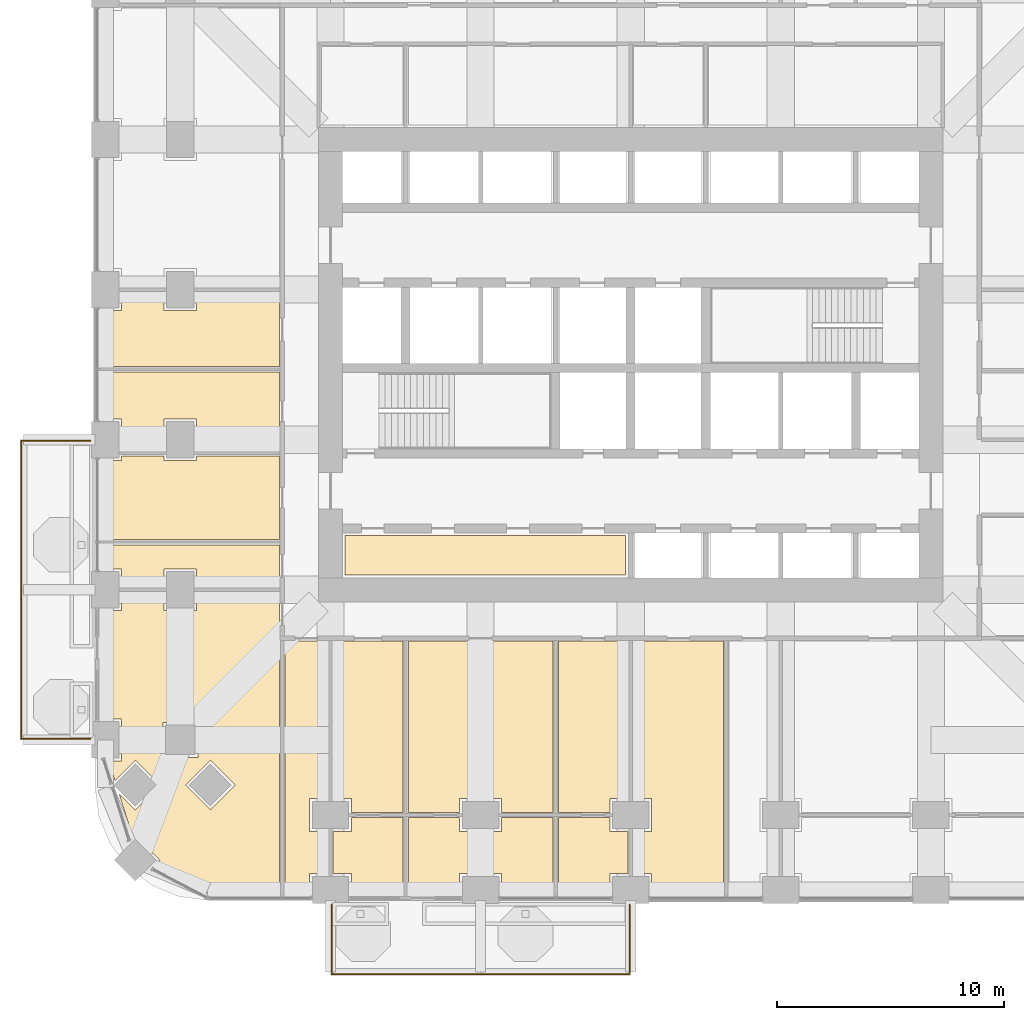
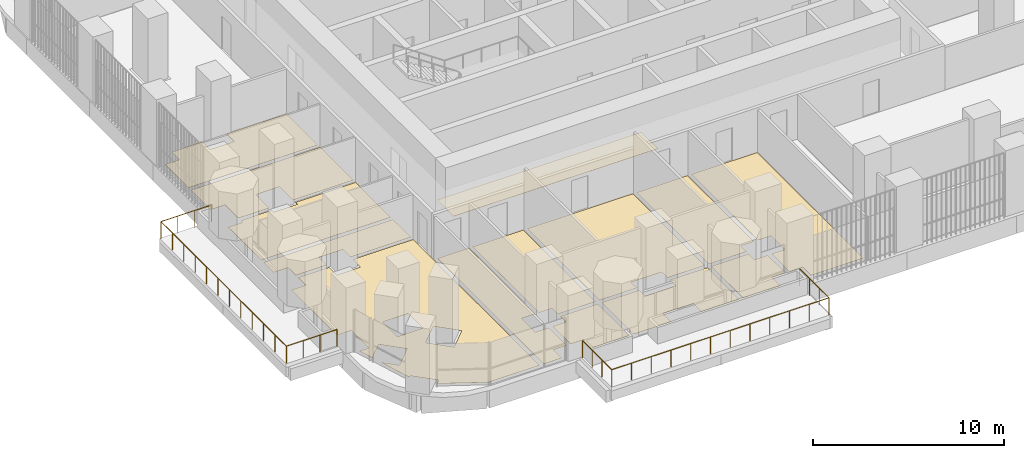
# One storey, part 17 of 21: 14 coverings, 2 railings.
"""IFC4 building model written with IfcOpenShell, lengths in metres."""

from ifc_helpers import new_model, si_unit, direction, frame, origin, place, context, subcontext, project, spatial, polyline, outline, extrude, material, layer, layer_set, type_object, element, save


model = new_model("IFC4")

# Units and contexts
model_context = context("Model", 3, precision=1e-05, world=origin(), true_north=direction((0.0, 1.0)))
body_context = subcontext(model_context, "Body", "Model", "MODEL_VIEW")
ifc_project = project(units=[si_unit("LENGTHUNIT", "METRE"), si_unit("AREAUNIT", "SQUARE_METRE"), si_unit("VOLUMEUNIT", "CUBIC_METRE"), si_unit("PLANEANGLEUNIT", "RADIAN"), si_unit("MASSUNIT", "GRAM", prefix="KILO")], contexts=[model_context])

# Site, building, storey
site_placement = place(None, origin())
site = spatial("IfcSite", under=ifc_project, at=site_placement, CompositionType="ELEMENT")
building_placement = place(site_placement, origin())
building = spatial("IfcBuilding", under=site, at=building_placement, Name="Cobogo Forest Laboratory Tower", CompositionType="ELEMENT")
storey_placement = place(building_placement, frame((0.0, 0.0, 99.0)))
storey = spatial("IfcBuildingStorey", under=building, at=storey_placement, Name="L22", CompositionType="ELEMENT", Elevation=99.0)

# Railings
ifc_material_1 = material(Name="Laminated glass balustrade", Category="glass")
railing_type = type_object("IfcRailingType", Name="BG1 glass balustrade 1100", PredefinedType="GUARDRAIL", material=ifc_material_1)
railing_1_placement = place(storey_placement, frame((13.25, -0.64990234375, 0.0)))
element("IfcRailing", 1, at=railing_1_placement, inside=storey, type_object=railing_type, Name="Balcony balustrade BAL-S1 L22", PredefinedType="GUARDRAIL", context=body_context, shape_type="SweptSolid", body=[
    extrude(outline(polyline([(0.022216796875, 0.00927734375), (0.00927734375, 0.022216796875), (-0.00927734375, 0.022216796875), (-0.022216796875, 0.00927734375), (-0.022216796875, -0.00927734375), (-0.00927734375, -0.022216796875), (0.00927734375, -0.022216796875), (0.022216796875, -0.00927734375), (0.022216796875, 0.00927734375)])), frame((0.0, 0.0, 1.077880859375), z_axis=(0.0, -1.0, 0.0), x_axis=(1.0, 0.0, 0.0)), (0.0, 0.0, 1.0), 3.050048828125),
    extrude(outline(polyline([(0.022216796875, 0.00927734375), (0.00927734375, 0.022216796875), (-0.00927734375, 0.022216796875), (-0.022216796875, 0.00927734375), (-0.022216796875, -0.00927734375), (-0.00927734375, -0.022216796875), (0.00927734375, -0.022216796875), (0.022216796875, -0.00927734375), (0.022216796875, 0.00927734375)])), frame((0.0, -3.050048828125, 1.077880859375), z_axis=(1.0, 0.0, 0.0), x_axis=(0.0, 1.0, 0.0)), (0.0, 0.0, 1.0), 13.10009765625),
    extrude(outline(polyline([(0.022216796875, 0.00927734375), (0.00927734375, 0.022216796875), (-0.00927734375, 0.022216796875), (-0.022216796875, 0.00927734375), (-0.022216796875, -0.00927734375), (-0.00927734375, -0.022216796875), (0.00927734375, -0.022216796875), (0.022216796875, -0.00927734375), (0.022216796875, 0.00927734375)])), frame((13.10009765625, -3.050048828125, 1.077880859375), z_axis=(0.0, 1.0, 0.0), x_axis=(-1.0, 0.0, 0.0)), (0.0, 0.0, 1.0), 3.050048828125),
    extrude(outline(polyline([(0.019287109375, 0.008056640625), (0.008056640625, 0.019287109375), (-0.008056640625, 0.019287109375), (-0.019287109375, 0.008056640625), (-0.019287109375, -0.008056640625), (-0.008056640625, -0.019287109375), (0.008056640625, -0.019287109375), (0.019287109375, -0.008056640625), (0.019287109375, 0.008056640625)])), origin(), (0.0, 0.0, 1.0), 1.077880859375),
    extrude(outline(polyline([(0.019287109375, 0.008056640625), (0.008056640625, 0.019287109375), (-0.008056640625, 0.019287109375), (-0.019287109375, 0.008056640625), (-0.019287109375, -0.008056640625), (-0.008056640625, -0.019287109375), (0.008056640625, -0.019287109375), (0.019287109375, -0.008056640625), (0.019287109375, 0.008056640625)])), frame((0.0, -1.0166015625, 0.0)), (0.0, 0.0, 1.0), 1.077880859375),
    extrude(outline(polyline([(0.019287109375, 0.008056640625), (0.008056640625, 0.019287109375), (-0.008056640625, 0.019287109375), (-0.019287109375, 0.008056640625), (-0.019287109375, -0.008056640625), (-0.008056640625, -0.019287109375), (0.008056640625, -0.019287109375), (0.019287109375, -0.008056640625), (0.019287109375, 0.008056640625)])), frame((0.0, -2.033447265625, 0.0)), (0.0, 0.0, 1.0), 1.077880859375),
    extrude(outline(polyline([(0.019287109375, 0.008056640625), (0.008056640625, 0.019287109375), (-0.008056640625, 0.019287109375), (-0.019287109375, 0.008056640625), (-0.019287109375, -0.008056640625), (-0.008056640625, -0.019287109375), (0.008056640625, -0.019287109375), (0.019287109375, -0.008056640625), (0.019287109375, 0.008056640625)])), frame((0.0, -3.050048828125, 0.0)), (0.0, 0.0, 1.0), 1.077880859375),
    extrude(outline(polyline([(0.019287109375, 0.008056640625), (0.008056640625, 0.019287109375), (-0.008056640625, 0.019287109375), (-0.019287109375, 0.008056640625), (-0.019287109375, -0.008056640625), (-0.008056640625, -0.019287109375), (0.008056640625, -0.019287109375), (0.019287109375, -0.008056640625), (0.019287109375, 0.008056640625)])), frame((1.19091796875, -3.050048828125, 0.0)), (0.0, 0.0, 1.0), 1.077880859375),
    extrude(outline(polyline([(0.019287109375, 0.008056640625), (0.008056640625, 0.019287109375), (-0.008056640625, 0.019287109375), (-0.019287109375, 0.008056640625), (-0.019287109375, -0.008056640625), (-0.008056640625, -0.019287109375), (0.008056640625, -0.019287109375), (0.019287109375, -0.008056640625), (0.019287109375, 0.008056640625)])), frame((2.3818359375, -3.050048828125, 0.0)), (0.0, 0.0, 1.0), 1.077880859375),
    extrude(outline(polyline([(0.019287109375, 0.008056640625), (0.008056640625, 0.019287109375), (-0.008056640625, 0.019287109375), (-0.019287109375, 0.008056640625), (-0.019287109375, -0.008056640625), (-0.008056640625, -0.019287109375), (0.008056640625, -0.019287109375), (0.019287109375, -0.008056640625), (0.019287109375, 0.008056640625)])), frame((3.57275390625, -3.050048828125, 0.0)), (0.0, 0.0, 1.0), 1.077880859375),
    extrude(outline(polyline([(0.019287109375, 0.008056640625), (0.008056640625, 0.019287109375), (-0.008056640625, 0.019287109375), (-0.019287109375, 0.008056640625), (-0.019287109375, -0.008056640625), (-0.008056640625, -0.019287109375), (0.008056640625, -0.019287109375), (0.019287109375, -0.008056640625), (0.019287109375, 0.008056640625)])), frame((4.763671875, -3.050048828125, 0.0)), (0.0, 0.0, 1.0), 1.077880859375),
    extrude(outline(polyline([(0.019287109375, 0.008056640625), (0.008056640625, 0.019287109375), (-0.008056640625, 0.019287109375), (-0.019287109375, 0.008056640625), (-0.019287109375, -0.008056640625), (-0.008056640625, -0.019287109375), (0.008056640625, -0.019287109375), (0.019287109375, -0.008056640625), (0.019287109375, 0.008056640625)])), frame((5.95458984375, -3.050048828125, 0.0)), (0.0, 0.0, 1.0), 1.077880859375),
    extrude(outline(polyline([(0.019287109375, 0.008056640625), (0.008056640625, 0.019287109375), (-0.008056640625, 0.019287109375), (-0.019287109375, 0.008056640625), (-0.019287109375, -0.008056640625), (-0.008056640625, -0.019287109375), (0.008056640625, -0.019287109375), (0.019287109375, -0.008056640625), (0.019287109375, 0.008056640625)])), frame((7.1455078125, -3.050048828125, 0.0)), (0.0, 0.0, 1.0), 1.077880859375),
    extrude(outline(polyline([(0.019287109375, 0.008056640625), (0.008056640625, 0.019287109375), (-0.008056640625, 0.019287109375), (-0.019287109375, 0.008056640625), (-0.019287109375, -0.008056640625), (-0.008056640625, -0.019287109375), (0.008056640625, -0.019287109375), (0.019287109375, -0.008056640625), (0.019287109375, 0.008056640625)])), frame((8.33642578125, -3.050048828125, 0.0)), (0.0, 0.0, 1.0), 1.077880859375),
    extrude(outline(polyline([(0.019287109375, 0.008056640625), (0.008056640625, 0.019287109375), (-0.008056640625, 0.019287109375), (-0.019287109375, 0.008056640625), (-0.019287109375, -0.008056640625), (-0.008056640625, -0.019287109375), (0.008056640625, -0.019287109375), (0.019287109375, -0.008056640625), (0.019287109375, 0.008056640625)])), frame((9.52734375, -3.050048828125, 0.0)), (0.0, 0.0, 1.0), 1.077880859375),
    extrude(outline(polyline([(0.019287109375, 0.008056640625), (0.008056640625, 0.019287109375), (-0.008056640625, 0.019287109375), (-0.019287109375, 0.008056640625), (-0.019287109375, -0.008056640625), (-0.008056640625, -0.019287109375), (0.008056640625, -0.019287109375), (0.019287109375, -0.008056640625), (0.019287109375, 0.008056640625)])), frame((10.71826171875, -3.050048828125, 0.0)), (0.0, 0.0, 1.0), 1.077880859375),
    extrude(outline(polyline([(0.019287109375, 0.008056640625), (0.008056640625, 0.019287109375), (-0.008056640625, 0.019287109375), (-0.019287109375, 0.008056640625), (-0.019287109375, -0.008056640625), (-0.008056640625, -0.019287109375), (0.008056640625, -0.019287109375), (0.019287109375, -0.008056640625), (0.019287109375, 0.008056640625)])), frame((11.9091796875, -3.050048828125, 0.0)), (0.0, 0.0, 1.0), 1.077880859375),
    extrude(outline(polyline([(0.019287109375, 0.008056640625), (0.008056640625, 0.019287109375), (-0.008056640625, 0.019287109375), (-0.019287109375, 0.008056640625), (-0.019287109375, -0.008056640625), (-0.008056640625, -0.019287109375), (0.008056640625, -0.019287109375), (0.019287109375, -0.008056640625), (0.019287109375, 0.008056640625)])), frame((13.10009765625, -3.050048828125, 0.0)), (0.0, 0.0, 1.0), 1.077880859375),
    extrude(outline(polyline([(0.019287109375, 0.008056640625), (0.008056640625, 0.019287109375), (-0.008056640625, 0.019287109375), (-0.019287109375, 0.008056640625), (-0.019287109375, -0.008056640625), (-0.008056640625, -0.019287109375), (0.008056640625, -0.019287109375), (0.019287109375, -0.008056640625), (0.019287109375, 0.008056640625)])), frame((13.10009765625, -2.033447265625, 0.0)), (0.0, 0.0, 1.0), 1.077880859375),
    extrude(outline(polyline([(0.019287109375, 0.008056640625), (0.008056640625, 0.019287109375), (-0.008056640625, 0.019287109375), (-0.019287109375, 0.008056640625), (-0.019287109375, -0.008056640625), (-0.008056640625, -0.019287109375), (0.008056640625, -0.019287109375), (0.019287109375, -0.008056640625), (0.019287109375, 0.008056640625)])), frame((13.10009765625, -1.0166015625, 0.0)), (0.0, 0.0, 1.0), 1.077880859375),
    extrude(outline(polyline([(0.019287109375, 0.008056640625), (0.008056640625, 0.019287109375), (-0.008056640625, 0.019287109375), (-0.019287109375, 0.008056640625), (-0.019287109375, -0.008056640625), (-0.008056640625, -0.019287109375), (0.008056640625, -0.019287109375), (0.019287109375, -0.008056640625), (0.019287109375, 0.008056640625)])), frame((13.10009765625, 0.0, 0.0)), (0.0, 0.0, 1.0), 1.077880859375),
])
railing_2_placement = place(storey_placement, frame((2.64990234375, 6.64990234375, 0.0)))
element("IfcRailing", 2, at=railing_2_placement, inside=storey, type_object=railing_type, Name="Balcony balustrade BAL-W1 L22", PredefinedType="GUARDRAIL", context=body_context, shape_type="SweptSolid", body=[
    extrude(outline(polyline([(0.022216796875, 0.00927734375), (0.00927734375, 0.022216796875), (-0.00927734375, 0.022216796875), (-0.022216796875, 0.00927734375), (-0.022216796875, -0.00927734375), (-0.00927734375, -0.022216796875), (0.00927734375, -0.022216796875), (0.022216796875, -0.00927734375), (0.022216796875, 0.00927734375)])), frame((0.0, 0.0, 1.077880859375), z_axis=(-1.0, 0.0, 0.0), x_axis=(0.0, -1.0, 0.0)), (0.0, 0.0, 1.0), 3.0498046875),
    extrude(outline(polyline([(0.022216796875, 0.00927734375), (0.00927734375, 0.022216796875), (-0.00927734375, 0.022216796875), (-0.022216796875, 0.00927734375), (-0.022216796875, -0.00927734375), (-0.00927734375, -0.022216796875), (0.00927734375, -0.022216796875), (0.022216796875, -0.00927734375), (0.022216796875, 0.00927734375)])), frame((-3.0498046875, 0.0, 1.077880859375), z_axis=(0.0, 1.0, 0.0), x_axis=(-1.0, 0.0, 0.0)), (0.0, 0.0, 1.0), 13.10009765625),
    extrude(outline(polyline([(0.022216796875, 0.00927734375), (0.00927734375, 0.022216796875), (-0.00927734375, 0.022216796875), (-0.022216796875, 0.00927734375), (-0.022216796875, -0.00927734375), (-0.00927734375, -0.022216796875), (0.00927734375, -0.022216796875), (0.022216796875, -0.00927734375), (0.022216796875, 0.00927734375)])), frame((-3.0498046875, 13.10009765625, 1.077880859375), z_axis=(1.0, 0.0, 0.0), x_axis=(0.0, 1.0, 0.0)), (0.0, 0.0, 1.0), 3.0498046875),
    extrude(outline(polyline([(0.019287109375, 0.008056640625), (0.008056640625, 0.019287109375), (-0.008056640625, 0.019287109375), (-0.019287109375, 0.008056640625), (-0.019287109375, -0.008056640625), (-0.008056640625, -0.019287109375), (0.008056640625, -0.019287109375), (0.019287109375, -0.008056640625), (0.019287109375, 0.008056640625)])), origin(), (0.0, 0.0, 1.0), 1.077880859375),
    extrude(outline(polyline([(0.019287109375, 0.008056640625), (0.008056640625, 0.019287109375), (-0.008056640625, 0.019287109375), (-0.019287109375, 0.008056640625), (-0.019287109375, -0.008056640625), (-0.008056640625, -0.019287109375), (0.008056640625, -0.019287109375), (0.019287109375, -0.008056640625), (0.019287109375, 0.008056640625)])), frame((-1.0166015625, 0.0, 0.0)), (0.0, 0.0, 1.0), 1.077880859375),
    extrude(outline(polyline([(0.019287109375, 0.008056640625), (0.008056640625, 0.019287109375), (-0.008056640625, 0.019287109375), (-0.019287109375, 0.008056640625), (-0.019287109375, -0.008056640625), (-0.008056640625, -0.019287109375), (0.008056640625, -0.019287109375), (0.019287109375, -0.008056640625), (0.019287109375, 0.008056640625)])), frame((-2.033203125, 0.0, 0.0)), (0.0, 0.0, 1.0), 1.077880859375),
    extrude(outline(polyline([(0.019287109375, 0.008056640625), (0.008056640625, 0.019287109375), (-0.008056640625, 0.019287109375), (-0.019287109375, 0.008056640625), (-0.019287109375, -0.008056640625), (-0.008056640625, -0.019287109375), (0.008056640625, -0.019287109375), (0.019287109375, -0.008056640625), (0.019287109375, 0.008056640625)])), frame((-3.0498046875, 0.0, 0.0)), (0.0, 0.0, 1.0), 1.077880859375),
    extrude(outline(polyline([(0.019287109375, 0.008056640625), (0.008056640625, 0.019287109375), (-0.008056640625, 0.019287109375), (-0.019287109375, 0.008056640625), (-0.019287109375, -0.008056640625), (-0.008056640625, -0.019287109375), (0.008056640625, -0.019287109375), (0.019287109375, -0.008056640625), (0.019287109375, 0.008056640625)])), frame((-3.0498046875, 1.19091796875, 0.0)), (0.0, 0.0, 1.0), 1.077880859375),
    extrude(outline(polyline([(0.019287109375, 0.008056640625), (0.008056640625, 0.019287109375), (-0.008056640625, 0.019287109375), (-0.019287109375, 0.008056640625), (-0.019287109375, -0.008056640625), (-0.008056640625, -0.019287109375), (0.008056640625, -0.019287109375), (0.019287109375, -0.008056640625), (0.019287109375, 0.008056640625)])), frame((-3.0498046875, 2.3818359375, 0.0)), (0.0, 0.0, 1.0), 1.077880859375),
    extrude(outline(polyline([(0.019287109375, 0.008056640625), (0.008056640625, 0.019287109375), (-0.008056640625, 0.019287109375), (-0.019287109375, 0.008056640625), (-0.019287109375, -0.008056640625), (-0.008056640625, -0.019287109375), (0.008056640625, -0.019287109375), (0.019287109375, -0.008056640625), (0.019287109375, 0.008056640625)])), frame((-3.0498046875, 3.57275390625, 0.0)), (0.0, 0.0, 1.0), 1.077880859375),
    extrude(outline(polyline([(0.019287109375, 0.008056640625), (0.008056640625, 0.019287109375), (-0.008056640625, 0.019287109375), (-0.019287109375, 0.008056640625), (-0.019287109375, -0.008056640625), (-0.008056640625, -0.019287109375), (0.008056640625, -0.019287109375), (0.019287109375, -0.008056640625), (0.019287109375, 0.008056640625)])), frame((-3.0498046875, 4.763671875, 0.0)), (0.0, 0.0, 1.0), 1.077880859375),
    extrude(outline(polyline([(0.019287109375, 0.008056640625), (0.008056640625, 0.019287109375), (-0.008056640625, 0.019287109375), (-0.019287109375, 0.008056640625), (-0.019287109375, -0.008056640625), (-0.008056640625, -0.019287109375), (0.008056640625, -0.019287109375), (0.019287109375, -0.008056640625), (0.019287109375, 0.008056640625)])), frame((-3.0498046875, 5.95458984375, 0.0)), (0.0, 0.0, 1.0), 1.077880859375),
    extrude(outline(polyline([(0.019287109375, 0.008056640625), (0.008056640625, 0.019287109375), (-0.008056640625, 0.019287109375), (-0.019287109375, 0.008056640625), (-0.019287109375, -0.008056640625), (-0.008056640625, -0.019287109375), (0.008056640625, -0.019287109375), (0.019287109375, -0.008056640625), (0.019287109375, 0.008056640625)])), frame((-3.0498046875, 7.1455078125, 0.0)), (0.0, 0.0, 1.0), 1.077880859375),
    extrude(outline(polyline([(0.019287109375, 0.008056640625), (0.008056640625, 0.019287109375), (-0.008056640625, 0.019287109375), (-0.019287109375, 0.008056640625), (-0.019287109375, -0.008056640625), (-0.008056640625, -0.019287109375), (0.008056640625, -0.019287109375), (0.019287109375, -0.008056640625), (0.019287109375, 0.008056640625)])), frame((-3.0498046875, 8.33642578125, 0.0)), (0.0, 0.0, 1.0), 1.077880859375),
    extrude(outline(polyline([(0.019287109375, 0.008056640625), (0.008056640625, 0.019287109375), (-0.008056640625, 0.019287109375), (-0.019287109375, 0.008056640625), (-0.019287109375, -0.008056640625), (-0.008056640625, -0.019287109375), (0.008056640625, -0.019287109375), (0.019287109375, -0.008056640625), (0.019287109375, 0.008056640625)])), frame((-3.0498046875, 9.52734375, 0.0)), (0.0, 0.0, 1.0), 1.077880859375),
    extrude(outline(polyline([(0.019287109375, 0.008056640625), (0.008056640625, 0.019287109375), (-0.008056640625, 0.019287109375), (-0.019287109375, 0.008056640625), (-0.019287109375, -0.008056640625), (-0.008056640625, -0.019287109375), (0.008056640625, -0.019287109375), (0.019287109375, -0.008056640625), (0.019287109375, 0.008056640625)])), frame((-3.0498046875, 10.71826171875, 0.0)), (0.0, 0.0, 1.0), 1.077880859375),
    extrude(outline(polyline([(0.019287109375, 0.008056640625), (0.008056640625, 0.019287109375), (-0.008056640625, 0.019287109375), (-0.019287109375, 0.008056640625), (-0.019287109375, -0.008056640625), (-0.008056640625, -0.019287109375), (0.008056640625, -0.019287109375), (0.019287109375, -0.008056640625), (0.019287109375, 0.008056640625)])), frame((-3.0498046875, 11.9091796875, 0.0)), (0.0, 0.0, 1.0), 1.077880859375),
    extrude(outline(polyline([(0.019287109375, 0.008056640625), (0.008056640625, 0.019287109375), (-0.008056640625, 0.019287109375), (-0.019287109375, 0.008056640625), (-0.019287109375, -0.008056640625), (-0.008056640625, -0.019287109375), (0.008056640625, -0.019287109375), (0.019287109375, -0.008056640625), (0.019287109375, 0.008056640625)])), frame((-3.0498046875, 13.10009765625, 0.0)), (0.0, 0.0, 1.0), 1.077880859375),
    extrude(outline(polyline([(0.019287109375, 0.008056640625), (0.008056640625, 0.019287109375), (-0.008056640625, 0.019287109375), (-0.019287109375, 0.008056640625), (-0.019287109375, -0.008056640625), (-0.008056640625, -0.019287109375), (0.008056640625, -0.019287109375), (0.019287109375, -0.008056640625), (0.019287109375, 0.008056640625)])), frame((-2.033203125, 13.10009765625, 0.0)), (0.0, 0.0, 1.0), 1.077880859375),
    extrude(outline(polyline([(0.019287109375, 0.008056640625), (0.008056640625, 0.019287109375), (-0.008056640625, 0.019287109375), (-0.019287109375, 0.008056640625), (-0.019287109375, -0.008056640625), (-0.008056640625, -0.019287109375), (0.008056640625, -0.019287109375), (0.019287109375, -0.008056640625), (0.019287109375, 0.008056640625)])), frame((-1.0166015625, 13.10009765625, 0.0)), (0.0, 0.0, 1.0), 1.077880859375),
    extrude(outline(polyline([(0.019287109375, 0.008056640625), (0.008056640625, 0.019287109375), (-0.008056640625, 0.019287109375), (-0.019287109375, 0.008056640625), (-0.019287109375, -0.008056640625), (-0.008056640625, -0.019287109375), (0.008056640625, -0.019287109375), (0.019287109375, -0.008056640625), (0.019287109375, 0.008056640625)])), frame((0.0, 13.10009765625, 0.0)), (0.0, 0.0, 1.0), 1.077880859375),
])

# Coverings
ifc_material_2 = material(Name="Carpet tile on raised access floor", Category="flooring")
ifc_layer_1 = layer(ifc_material_2, 0.008056640625)
ifc_layer_set_1 = layer_set([ifc_layer_1], Name="CT1 carpet tile floor 8")
covering_type_1 = type_object("IfcCoveringType", Name="CT1 carpet tile floor 8", PredefinedType="FLOORING", material=ifc_layer_set_1)
covering_1_placement = place(storey_placement, origin())
element("IfcCovering", 3, at=covering_1_placement, inside=storey, type_object=covering_type_1, Name="Carpet floor L22-05", PredefinedType="FLOORING", context=body_context, shape_type="SweptSolid", body=[
    extrude(outline(polyline([(13.080078125, 10.955078125), (13.080078125, 4.02001953125), (12.280029296875, 4.02001953125), (12.280029296875, 2.580078125), (13.080078125, 2.580078125), (13.080078125, 0.719970703125), (12.280029296875, 0.719970703125), (12.280029296875, -0.14990234375), (11.195068359375, -0.14990234375), (11.195068359375, 10.955078125), (13.080078125, 10.955078125)])), origin(), (0.0, 0.0, 1.0), 0.008056640625),
])
covering_2_placement = place(storey_placement, origin())
element("IfcCovering", 4, at=covering_2_placement, inside=storey, type_object=covering_type_1, Name="Carpet floor L22-07", PredefinedType="FLOORING", context=body_context, shape_type="SweptSolid", body=[
    extrude(outline(polyline([(16.3798828125, 3.179931640625), (16.3798828125, -0.14990234375), (14.1201171875, -0.14990234375), (14.1201171875, 0.719970703125), (13.320068359375, 0.719970703125), (13.320068359375, 2.580078125), (14.1201171875, 2.580078125), (14.1201171875, 3.179931640625), (16.3798828125, 3.179931640625)])), origin(), (0.0, 0.0, 1.0), 0.008056640625),
])
covering_3_placement = place(storey_placement, origin())
element("IfcCovering", 5, at=covering_3_placement, inside=storey, type_object=covering_type_1, Name="Carpet floor L22-09", PredefinedType="FLOORING", context=body_context, shape_type="SweptSolid", body=[
    extrude(outline(polyline([(18.8798828125, 3.179931640625), (18.8798828125, 2.580078125), (20.719970703125, 2.580078125), (20.719970703125, 3.179931640625), (22.97998046875, 3.179931640625), (22.97998046875, -0.14990234375), (20.719970703125, -0.14990234375), (20.719970703125, 0.719970703125), (18.8798828125, 0.719970703125), (18.8798828125, -0.14990234375), (16.6201171875, -0.14990234375), (16.6201171875, 3.179931640625), (18.8798828125, 3.179931640625)])), origin(), (0.0, 0.0, 1.0), 0.008056640625),
])
covering_4_placement = place(storey_placement, origin())
element("IfcCovering", 6, at=covering_4_placement, inside=storey, type_object=covering_type_1, Name="Carpet floor L22-11", PredefinedType="FLOORING", context=body_context, shape_type="SweptSolid", body=[
    extrude(outline(polyline([(25.47998046875, 3.179931640625), (25.47998046875, 2.580078125), (26.280029296875, 2.580078125), (26.280029296875, 0.719970703125), (25.47998046875, 0.719970703125), (25.47998046875, -0.14990234375), (23.219970703125, -0.14990234375), (23.219970703125, 3.179931640625), (25.47998046875, 3.179931640625)])), origin(), (0.0, 0.0, 1.0), 0.008056640625),
])
covering_5_placement = place(storey_placement, origin())
element("IfcCovering", 7, at=covering_5_placement, inside=storey, type_object=covering_type_1, Name="Carpet floor L22-12", PredefinedType="FLOORING", context=body_context, shape_type="SweptSolid", body=[
    extrude(outline(polyline([(30.47998046875, 10.955078125), (30.47998046875, -0.14990234375), (27.320068359375, -0.14990234375), (27.320068359375, 0.719970703125), (26.52001953125, 0.719970703125), (26.52001953125, 2.580078125), (27.320068359375, 2.580078125), (27.320068359375, 4.02001953125), (26.52001953125, 4.02001953125), (26.52001953125, 10.955078125), (30.47998046875, 10.955078125)])), origin(), (0.0, 0.0, 1.0), 0.008056640625),
])
covering_6_placement = place(storey_placement, origin())
element("IfcCovering", 8, at=covering_6_placement, inside=storey, type_object=covering_type_1, Name="Carpet floor L22-25", PredefinedType="FLOORING", context=body_context, shape_type="SweptSolid", body=[
    extrude(outline(polyline([(3.904052734375, 4.2431640625), (4.617919921875, 3.529052734375), (5.70703125, 4.617919921875), (4.617919921875, 5.70703125), (3.72412109375, 4.81298828125), (3.4501953125, 5.679931640625), (4.02001953125, 5.679931640625), (4.02001953125, 7.52001953125), (3.14990234375, 7.52001953125), (3.14990234375, 12.280029296875), (4.02001953125, 12.280029296875), (4.02001953125, 13.080078125), (5.8798828125, 13.080078125), (5.8798828125, 12.280029296875), (7.320068359375, 12.280029296875), (7.320068359375, 13.080078125), (10.955078125, 13.080078125), (10.955078125, -0.14990234375), (7.84912109375, -0.14990234375), (5.480712890625, 1.091552734375), (5.70703125, 1.318115234375), (4.617919921875, 2.406982421875), (4.51611328125, 2.304931640625), (3.904052734375, 4.2431640625)]), holes=[polyline([(6.8291015625, 4.617919921875), (7.91796875, 3.529052734375), (9.007080078125, 4.617919921875), (7.91796875, 5.70703125), (6.8291015625, 4.617919921875)]), polyline([(5.830078125, 7.3701171875), (5.830078125, 5.830078125), (7.3701171875, 5.830078125), (7.3701171875, 7.3701171875), (5.830078125, 7.3701171875)])]), origin(), (0.0, 0.0, 1.0), 0.008056640625),
])
covering_7_placement = place(storey_placement, origin())
element("IfcCovering", 9, at=covering_7_placement, inside=storey, type_object=covering_type_1, Name="Carpet floor L22-38", PredefinedType="FLOORING", context=body_context, shape_type="SweptSolid", body=[
    extrude(outline(polyline([(26.179931640625, 13.844970703125), (13.844970703125, 13.844970703125), (13.844970703125, 15.580078125), (26.179931640625, 15.580078125), (26.179931640625, 13.844970703125)])), origin(), (0.0, 0.0, 1.0), 0.008056640625),
])
ifc_material_3 = material(Name="Epoxy resin flooring", Category="flooring")
ifc_layer_2 = layer(ifc_material_3, 0.00390625)
ifc_layer_set_2 = layer_set([ifc_layer_2], Name="LF1 epoxy laboratory floor 4")
covering_type_2 = type_object("IfcCoveringType", Name="LF1 epoxy laboratory floor 4", PredefinedType="FLOORING", material=ifc_layer_set_2)
covering_8_placement = place(storey_placement, origin())
element("IfcCovering", 10, at=covering_8_placement, inside=storey, type_object=covering_type_2, Name="Epoxy laboratory floor L22-06", PredefinedType="FLOORING", context=body_context, shape_type="SweptSolid", body=[
    extrude(outline(polyline([(13.320068359375, 10.955078125), (16.3798828125, 10.955078125), (16.3798828125, 3.419921875), (14.1201171875, 3.419921875), (14.1201171875, 4.02001953125), (13.320068359375, 4.02001953125), (13.320068359375, 10.955078125)])), origin(), (0.0, 0.0, 1.0), 0.00390625),
])
covering_9_placement = place(storey_placement, origin())
element("IfcCovering", 11, at=covering_9_placement, inside=storey, type_object=covering_type_2, Name="Epoxy laboratory floor L22-08", PredefinedType="FLOORING", context=body_context, shape_type="SweptSolid", body=[
    extrude(outline(polyline([(16.6201171875, 10.955078125), (22.97998046875, 10.955078125), (22.97998046875, 3.419921875), (20.719970703125, 3.419921875), (20.719970703125, 4.02001953125), (18.8798828125, 4.02001953125), (18.8798828125, 3.419921875), (16.6201171875, 3.419921875), (16.6201171875, 10.955078125)])), origin(), (0.0, 0.0, 1.0), 0.00390625),
])
covering_10_placement = place(storey_placement, origin())
element("IfcCovering", 12, at=covering_10_placement, inside=storey, type_object=covering_type_2, Name="Epoxy laboratory floor L22-10", PredefinedType="FLOORING", context=body_context, shape_type="SweptSolid", body=[
    extrude(outline(polyline([(23.219970703125, 10.955078125), (26.280029296875, 10.955078125), (26.280029296875, 4.02001953125), (25.47998046875, 4.02001953125), (25.47998046875, 3.419921875), (23.219970703125, 3.419921875), (23.219970703125, 10.955078125)])), origin(), (0.0, 0.0, 1.0), 0.00390625),
])
ifc_material_4 = material(Name="Ceramic floor tile", Category="flooring")
ifc_layer_3 = layer(ifc_material_4, 0.010009765625)
ifc_layer_set_3 = layer_set([ifc_layer_3], Name="TF1 ceramic tile floor 10")
covering_type_3 = type_object("IfcCoveringType", Name="TF1 ceramic tile floor 10", PredefinedType="FLOORING", material=ifc_layer_set_3)
covering_11_placement = place(storey_placement, origin())
element("IfcCovering", 13, at=covering_11_placement, inside=storey, type_object=covering_type_3, Name="Tile floor L22-26", PredefinedType="FLOORING", context=body_context, shape_type="SweptSolid", body=[
    extrude(outline(polyline([(10.955078125, 13.320068359375), (7.320068359375, 13.320068359375), (7.320068359375, 14.1201171875), (5.8798828125, 14.1201171875), (5.8798828125, 13.320068359375), (4.02001953125, 13.320068359375), (4.02001953125, 14.1201171875), (3.14990234375, 14.1201171875), (3.14990234375, 15.179931640625), (10.955078125, 15.179931640625), (10.955078125, 13.320068359375)])), origin(), (0.0, 0.0, 1.0), 0.010009765625),
])
covering_12_placement = place(storey_placement, origin())
element("IfcCovering", 14, at=covering_12_placement, inside=storey, type_object=covering_type_3, Name="Tile floor L22-27", PredefinedType="FLOORING", context=body_context, shape_type="SweptSolid", body=[
    extrude(outline(polyline([(10.955078125, 15.419921875), (3.14990234375, 15.419921875), (3.14990234375, 18.8798828125), (4.02001953125, 18.8798828125), (4.02001953125, 19.080078125), (5.8798828125, 19.080078125), (5.8798828125, 18.8798828125), (7.320068359375, 18.8798828125), (7.320068359375, 19.080078125), (10.955078125, 19.080078125), (10.955078125, 15.419921875)])), origin(), (0.0, 0.0, 1.0), 0.010009765625),
])
covering_13_placement = place(storey_placement, origin())
element("IfcCovering", 15, at=covering_13_placement, inside=storey, type_object=covering_type_3, Name="Tile floor L22-28", PredefinedType="FLOORING", context=body_context, shape_type="SweptSolid", body=[
    extrude(outline(polyline([(10.955078125, 19.320068359375), (7.320068359375, 19.320068359375), (7.320068359375, 20.719970703125), (5.8798828125, 20.719970703125), (5.8798828125, 19.320068359375), (4.02001953125, 19.320068359375), (4.02001953125, 20.719970703125), (3.14990234375, 20.719970703125), (3.14990234375, 22.780029296875), (10.955078125, 22.780029296875), (10.955078125, 19.320068359375)])), origin(), (0.0, 0.0, 1.0), 0.010009765625),
])
covering_14_placement = place(storey_placement, origin())
element("IfcCovering", 16, at=covering_14_placement, inside=storey, type_object=covering_type_3, Name="Tile floor L22-29", PredefinedType="FLOORING", context=body_context, shape_type="SweptSolid", body=[
    extrude(outline(polyline([(10.955078125, 23.02001953125), (3.14990234375, 23.02001953125), (3.14990234375, 25.47998046875), (4.02001953125, 25.47998046875), (4.02001953125, 26.280029296875), (5.8798828125, 26.280029296875), (5.8798828125, 25.47998046875), (7.320068359375, 25.47998046875), (7.320068359375, 26.280029296875), (10.955078125, 26.280029296875), (10.955078125, 23.02001953125)])), origin(), (0.0, 0.0, 1.0), 0.010009765625),
])

save(model, "model.ifc")
